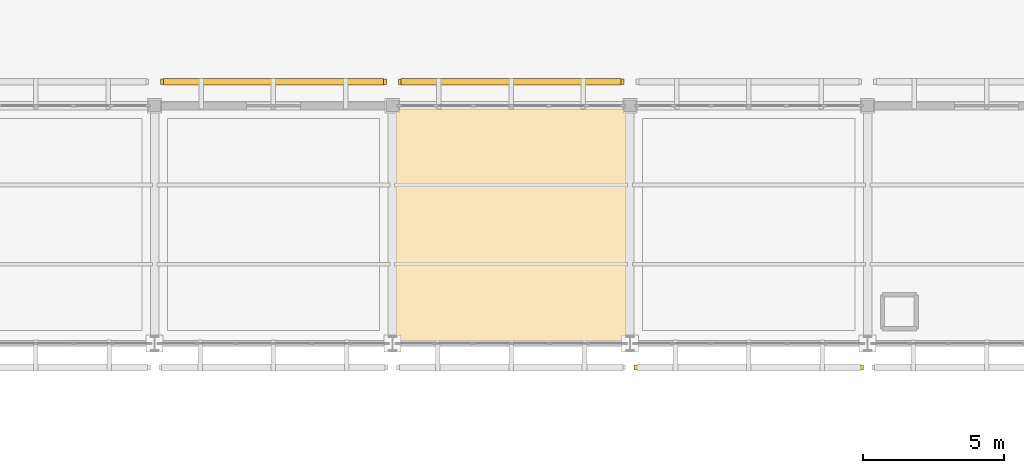
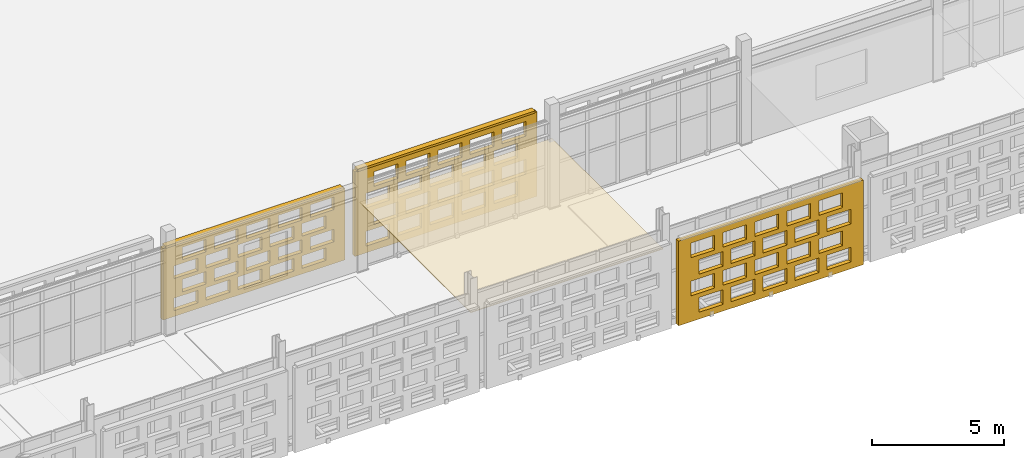
# One storey, part 171 of 203: 4 coverings, 2 shading devices, 60 openings.
"""IFC4 building model written with IfcOpenShell, lengths in metres."""

from ifc_helpers import new_model, si_unit, direction, frame, frame_2d, origin, origin_2d, place, context, subcontext, project, spatial, rectangle, extrude, material, layer, layer_set, type_object, element, save


model = new_model("IFC4")

# Units and contexts
model_context = context("Model", 3, precision=1e-05, world=origin(), true_north=direction((0.0, 1.0)))
body_context = subcontext(model_context, "Body", "Model", "MODEL_VIEW")
ifc_project = project(units=[si_unit("LENGTHUNIT", "METRE"), si_unit("AREAUNIT", "SQUARE_METRE"), si_unit("VOLUMEUNIT", "CUBIC_METRE"), si_unit("PLANEANGLEUNIT", "RADIAN"), si_unit("MASSUNIT", "GRAM", prefix="KILO")], contexts=[model_context])

# Site, building, storey
site_placement = place(None, origin())
site = spatial("IfcSite", under=ifc_project, at=site_placement, CompositionType="ELEMENT")
building_placement = place(site_placement, origin())
building = spatial("IfcBuilding", under=site, at=building_placement, Name="Varnapada Polytechnic", CompositionType="ELEMENT")
storey_placement = place(building_placement, frame((0.0, 0.0, 4.800048828125)))
storey = spatial("IfcBuildingStorey", under=building, at=storey_placement, Name="L01", CompositionType="ELEMENT", Elevation=4.800048828125)

# Covering
ifc_material_1 = material(Name="Mineral Fibre Acoustic Ceiling Tile")
ifc_layer_1 = layer(ifc_material_1, 0.0400390625)
ifc_layer_set_1 = layer_set([ifc_layer_1], Name="Mineral Fibre Acoustic Ceiling Tile")
covering_type_1 = type_object("IfcCoveringType", Name="Suspended Ceiling CLG-01", PredefinedType="CEILING", material=ifc_layer_set_1)
covering_1_placement = place(storey_placement, frame((88.199951171875, 88.199951171875, 3.030029296875), z_axis=(0.0, 0.0, 1.0), x_axis=(1.0, 0.0, 0.0)))
element("IfcCovering", 1, at=covering_1_placement, inside=storey, type_object=covering_type_1, Name="L01 suspended acoustic ceiling (11,11)", PredefinedType="CEILING", context=body_context, shape_type="SweptSolid", body=[
    extrude(rectangle(XDim=8.419921875, YDim=8.419921875, at=origin_2d()), origin(), (0.0, 0.0, 1.0), 0.0400390625),
])

# Covering, openings
ifc_material_2 = material(Name="Earth-toned architectural terracotta screen block", Category="masonry")
ifc_layer_2 = layer(ifc_material_2, 0.1201171875)
ifc_layer_set_2 = layer_set([ifc_layer_2], Name="Earth-toned architectural terracotta screen block")
covering_type_2 = type_object("IfcCoveringType", Name="Terracotta Screen Cladding CLD-01", PredefinedType="CLADDING", material=ifc_layer_set_2)
covering_2_placement = place(storey_placement, frame((75.81005859375, 93.25, 0.0), z_axis=(0.0, 0.0, 1.0), x_axis=(1.0, 0.0, 0.0)))
covering_2 = element("IfcCovering", 2, at=covering_2_placement, inside=storey, type_object=covering_type_2, Name="L01 perforated terracotta block screen (69)", PredefinedType="CLADDING", context=body_context, shape_type="SweptSolid", body=[
    extrude(rectangle(XDim=7.97998046875, YDim=0.179931640625, at=frame_2d((3.989990234375, 0.0))), origin(), (0.0, 0.0, 1.0), 3.31005859375),
])
opening_1_placement = place(covering_2_placement, frame((0.489990234375, 0.0, 0.264892578125)))
element("IfcOpeningElement", 3, at=opening_1_placement, cuts=covering_2, Name="Screen perforation TBS-L01-068.1", PredefinedType="OPENING", context=body_context, shape_type="SweptSolid", body=[
    extrude(rectangle(XDim=1.0400390625, YDim=0.5791015625, at=frame_2d((0.52001953125, 0.28955078125))), frame((0.0, 0.099853515625, 0.0), z_axis=(0.0, -1.0, 0.0), x_axis=(1.0, 0.0, 0.0)), (0.0, 0.0, 1.0), 0.199951171875),
])
opening_2_placement = place(covering_2_placement, frame((1.889892578125, 0.0, 0.264892578125)))
element("IfcOpeningElement", 4, at=opening_2_placement, cuts=covering_2, Name="Screen perforation TBS-L01-068.2", PredefinedType="OPENING", context=body_context, shape_type="SweptSolid", body=[
    extrude(rectangle(XDim=1.0400390625, YDim=0.5791015625, at=frame_2d((0.52001953125, 0.28955078125))), frame((0.0, 0.099853515625, 0.0), z_axis=(0.0, -1.0, 0.0), x_axis=(1.0, 0.0, 0.0)), (0.0, 0.0, 1.0), 0.199951171875),
])
opening_3_placement = place(covering_2_placement, frame((3.2900390625, 0.0, 0.264892578125)))
element("IfcOpeningElement", 5, at=opening_3_placement, cuts=covering_2, Name="Screen perforation TBS-L01-068.3", PredefinedType="OPENING", context=body_context, shape_type="SweptSolid", body=[
    extrude(rectangle(XDim=1.0400390625, YDim=0.5791015625, at=frame_2d((0.52001953125, 0.28955078125))), frame((0.0, 0.099853515625, 0.0), z_axis=(0.0, -1.0, 0.0), x_axis=(1.0, 0.0, 0.0)), (0.0, 0.0, 1.0), 0.199951171875),
])
opening_4_placement = place(covering_2_placement, frame((4.68994140625, 0.0, 0.264892578125)))
element("IfcOpeningElement", 6, at=opening_4_placement, cuts=covering_2, Name="Screen perforation TBS-L01-068.4", PredefinedType="OPENING", context=body_context, shape_type="SweptSolid", body=[
    extrude(rectangle(XDim=1.0400390625, YDim=0.5791015625, at=frame_2d((0.52001953125, 0.28955078125))), frame((0.0, 0.099853515625, 0.0), z_axis=(0.0, -1.0, 0.0), x_axis=(1.0, 0.0, 0.0)), (0.0, 0.0, 1.0), 0.199951171875),
])
opening_5_placement = place(covering_2_placement, frame((6.090087890625, 0.0, 0.264892578125)))
element("IfcOpeningElement", 7, at=opening_5_placement, cuts=covering_2, Name="Screen perforation TBS-L01-068.5", PredefinedType="OPENING", context=body_context, shape_type="SweptSolid", body=[
    extrude(rectangle(XDim=1.0400390625, YDim=0.5791015625, at=frame_2d((0.52001953125, 0.28955078125))), frame((0.0, 0.099853515625, 0.0), z_axis=(0.0, -1.0, 0.0), x_axis=(1.0, 0.0, 0.0)), (0.0, 0.0, 1.0), 0.199951171875),
])
opening_6_placement = place(covering_2_placement, frame((0.85009765625, 0.0, 1.009521484375)))
element("IfcOpeningElement", 8, at=opening_6_placement, cuts=covering_2, Name="Screen perforation TBS-L01-068.6", PredefinedType="OPENING", context=body_context, shape_type="SweptSolid", body=[
    extrude(rectangle(XDim=1.0400390625, YDim=0.5791015625, at=frame_2d((0.52001953125, 0.28955078125))), frame((0.0, 0.099853515625, 0.0), z_axis=(0.0, -1.0, 0.0), x_axis=(1.0, 0.0, 0.0)), (0.0, 0.0, 1.0), 0.199951171875),
])
opening_7_placement = place(covering_2_placement, frame((2.25, 0.0, 1.009521484375)))
element("IfcOpeningElement", 9, at=opening_7_placement, cuts=covering_2, Name="Screen perforation TBS-L01-068.7", PredefinedType="OPENING", context=body_context, shape_type="SweptSolid", body=[
    extrude(rectangle(XDim=1.0400390625, YDim=0.5791015625, at=frame_2d((0.52001953125, 0.28955078125))), frame((0.0, 0.099853515625, 0.0), z_axis=(0.0, -1.0, 0.0), x_axis=(1.0, 0.0, 0.0)), (0.0, 0.0, 1.0), 0.199951171875),
])
opening_8_placement = place(covering_2_placement, frame((3.64990234375, 0.0, 1.009521484375)))
element("IfcOpeningElement", 10, at=opening_8_placement, cuts=covering_2, Name="Screen perforation TBS-L01-068.8", PredefinedType="OPENING", context=body_context, shape_type="SweptSolid", body=[
    extrude(rectangle(XDim=1.0400390625, YDim=0.5791015625, at=frame_2d((0.52001953125, 0.28955078125))), frame((0.0, 0.099853515625, 0.0), z_axis=(0.0, -1.0, 0.0), x_axis=(1.0, 0.0, 0.0)), (0.0, 0.0, 1.0), 0.199951171875),
])
opening_9_placement = place(covering_2_placement, frame((5.050048828125, 0.0, 1.009521484375)))
element("IfcOpeningElement", 11, at=opening_9_placement, cuts=covering_2, Name="Screen perforation TBS-L01-068.9", PredefinedType="OPENING", context=body_context, shape_type="SweptSolid", body=[
    extrude(rectangle(XDim=1.0400390625, YDim=0.5791015625, at=frame_2d((0.52001953125, 0.28955078125))), frame((0.0, 0.099853515625, 0.0), z_axis=(0.0, -1.0, 0.0), x_axis=(1.0, 0.0, 0.0)), (0.0, 0.0, 1.0), 0.199951171875),
])
opening_10_placement = place(covering_2_placement, frame((6.449951171875, 0.0, 1.009521484375)))
element("IfcOpeningElement", 12, at=opening_10_placement, cuts=covering_2, Name="Screen perforation TBS-L01-068.10", PredefinedType="OPENING", context=body_context, shape_type="SweptSolid", body=[
    extrude(rectangle(XDim=1.0400390625, YDim=0.5791015625, at=frame_2d((0.52001953125, 0.28955078125))), frame((0.0, 0.099853515625, 0.0), z_axis=(0.0, -1.0, 0.0), x_axis=(1.0, 0.0, 0.0)), (0.0, 0.0, 1.0), 0.199951171875),
])
opening_11_placement = place(covering_2_placement, frame((0.489990234375, 0.0, 1.75439453125)))
element("IfcOpeningElement", 13, at=opening_11_placement, cuts=covering_2, Name="Screen perforation TBS-L01-068.11", PredefinedType="OPENING", context=body_context, shape_type="SweptSolid", body=[
    extrude(rectangle(XDim=1.0400390625, YDim=0.5791015625, at=frame_2d((0.52001953125, 0.28955078125))), frame((0.0, 0.099853515625, 0.0), z_axis=(0.0, -1.0, 0.0), x_axis=(1.0, 0.0, 0.0)), (0.0, 0.0, 1.0), 0.199951171875),
])
opening_12_placement = place(covering_2_placement, frame((1.889892578125, 0.0, 1.75439453125)))
element("IfcOpeningElement", 14, at=opening_12_placement, cuts=covering_2, Name="Screen perforation TBS-L01-068.12", PredefinedType="OPENING", context=body_context, shape_type="SweptSolid", body=[
    extrude(rectangle(XDim=1.0400390625, YDim=0.5791015625, at=frame_2d((0.52001953125, 0.28955078125))), frame((0.0, 0.099853515625, 0.0), z_axis=(0.0, -1.0, 0.0), x_axis=(1.0, 0.0, 0.0)), (0.0, 0.0, 1.0), 0.199951171875),
])
opening_13_placement = place(covering_2_placement, frame((3.2900390625, 0.0, 1.75439453125)))
element("IfcOpeningElement", 15, at=opening_13_placement, cuts=covering_2, Name="Screen perforation TBS-L01-068.13", PredefinedType="OPENING", context=body_context, shape_type="SweptSolid", body=[
    extrude(rectangle(XDim=1.0400390625, YDim=0.5791015625, at=frame_2d((0.52001953125, 0.28955078125))), frame((0.0, 0.099853515625, 0.0), z_axis=(0.0, -1.0, 0.0), x_axis=(1.0, 0.0, 0.0)), (0.0, 0.0, 1.0), 0.199951171875),
])
opening_14_placement = place(covering_2_placement, frame((4.68994140625, 0.0, 1.75439453125)))
element("IfcOpeningElement", 16, at=opening_14_placement, cuts=covering_2, Name="Screen perforation TBS-L01-068.14", PredefinedType="OPENING", context=body_context, shape_type="SweptSolid", body=[
    extrude(rectangle(XDim=1.0400390625, YDim=0.5791015625, at=frame_2d((0.52001953125, 0.28955078125))), frame((0.0, 0.099853515625, 0.0), z_axis=(0.0, -1.0, 0.0), x_axis=(1.0, 0.0, 0.0)), (0.0, 0.0, 1.0), 0.199951171875),
])
opening_15_placement = place(covering_2_placement, frame((6.090087890625, 0.0, 1.75439453125)))
element("IfcOpeningElement", 17, at=opening_15_placement, cuts=covering_2, Name="Screen perforation TBS-L01-068.15", PredefinedType="OPENING", context=body_context, shape_type="SweptSolid", body=[
    extrude(rectangle(XDim=1.0400390625, YDim=0.5791015625, at=frame_2d((0.52001953125, 0.28955078125))), frame((0.0, 0.099853515625, 0.0), z_axis=(0.0, -1.0, 0.0), x_axis=(1.0, 0.0, 0.0)), (0.0, 0.0, 1.0), 0.199951171875),
])
opening_16_placement = place(covering_2_placement, frame((0.85009765625, 0.0, 2.4990234375)))
element("IfcOpeningElement", 18, at=opening_16_placement, cuts=covering_2, Name="Screen perforation TBS-L01-068.16", PredefinedType="OPENING", context=body_context, shape_type="SweptSolid", body=[
    extrude(rectangle(XDim=1.0400390625, YDim=0.5791015625, at=frame_2d((0.52001953125, 0.28955078125))), frame((0.0, 0.099853515625, 0.0), z_axis=(0.0, -1.0, 0.0), x_axis=(1.0, 0.0, 0.0)), (0.0, 0.0, 1.0), 0.199951171875),
])
opening_17_placement = place(covering_2_placement, frame((2.25, 0.0, 2.4990234375)))
element("IfcOpeningElement", 19, at=opening_17_placement, cuts=covering_2, Name="Screen perforation TBS-L01-068.17", PredefinedType="OPENING", context=body_context, shape_type="SweptSolid", body=[
    extrude(rectangle(XDim=1.0400390625, YDim=0.5791015625, at=frame_2d((0.52001953125, 0.28955078125))), frame((0.0, 0.099853515625, 0.0), z_axis=(0.0, -1.0, 0.0), x_axis=(1.0, 0.0, 0.0)), (0.0, 0.0, 1.0), 0.199951171875),
])
opening_18_placement = place(covering_2_placement, frame((3.64990234375, 0.0, 2.4990234375)))
element("IfcOpeningElement", 20, at=opening_18_placement, cuts=covering_2, Name="Screen perforation TBS-L01-068.18", PredefinedType="OPENING", context=body_context, shape_type="SweptSolid", body=[
    extrude(rectangle(XDim=1.0400390625, YDim=0.5791015625, at=frame_2d((0.52001953125, 0.28955078125))), frame((0.0, 0.099853515625, 0.0), z_axis=(0.0, -1.0, 0.0), x_axis=(1.0, 0.0, 0.0)), (0.0, 0.0, 1.0), 0.199951171875),
])
opening_19_placement = place(covering_2_placement, frame((5.050048828125, 0.0, 2.4990234375)))
element("IfcOpeningElement", 21, at=opening_19_placement, cuts=covering_2, Name="Screen perforation TBS-L01-068.19", PredefinedType="OPENING", context=body_context, shape_type="SweptSolid", body=[
    extrude(rectangle(XDim=1.0400390625, YDim=0.5791015625, at=frame_2d((0.52001953125, 0.28955078125))), frame((0.0, 0.099853515625, 0.0), z_axis=(0.0, -1.0, 0.0), x_axis=(1.0, 0.0, 0.0)), (0.0, 0.0, 1.0), 0.199951171875),
])
opening_20_placement = place(covering_2_placement, frame((6.449951171875, 0.0, 2.4990234375)))
element("IfcOpeningElement", 22, at=opening_20_placement, cuts=covering_2, Name="Screen perforation TBS-L01-068.20", PredefinedType="OPENING", context=body_context, shape_type="SweptSolid", body=[
    extrude(rectangle(XDim=1.0400390625, YDim=0.5791015625, at=frame_2d((0.52001953125, 0.28955078125))), frame((0.0, 0.099853515625, 0.0), z_axis=(0.0, -1.0, 0.0), x_axis=(1.0, 0.0, 0.0)), (0.0, 0.0, 1.0), 0.199951171875),
])

covering_3_placement = place(storey_placement, frame((84.2099609375, 93.25, 0.0), z_axis=(0.0, 0.0, 1.0), x_axis=(1.0, 0.0, 0.0)))
covering_3 = element("IfcCovering", 23, at=covering_3_placement, inside=storey, type_object=covering_type_2, Name="L01 perforated terracotta block screen (75)", PredefinedType="CLADDING", context=body_context, shape_type="SweptSolid", body=[
    extrude(rectangle(XDim=7.97998046875, YDim=0.179931640625, at=frame_2d((3.989990234375, 0.0))), origin(), (0.0, 0.0, 1.0), 3.919921875),
])
opening_21_placement = place(covering_3_placement, frame((0.489990234375, 0.0, 0.313720703125)))
element("IfcOpeningElement", 24, at=opening_21_placement, cuts=covering_3, Name="Screen perforation TBS-L01-074.1", PredefinedType="OPENING", context=body_context, shape_type="SweptSolid", body=[
    extrude(rectangle(XDim=1.0400390625, YDim=0.679931640625, at=frame_2d((0.52001953125, 0.33984375))), frame((0.0, 0.099853515625, 0.0), z_axis=(0.0, -1.0, 0.0), x_axis=(1.0, 0.0, 0.0)), (0.0, 0.0, 1.0), 0.199951171875),
])
opening_22_placement = place(covering_3_placement, frame((1.889892578125, 0.0, 0.313720703125)))
element("IfcOpeningElement", 25, at=opening_22_placement, cuts=covering_3, Name="Screen perforation TBS-L01-074.2", PredefinedType="OPENING", context=body_context, shape_type="SweptSolid", body=[
    extrude(rectangle(XDim=1.0400390625, YDim=0.679931640625, at=frame_2d((0.52001953125, 0.33984375))), frame((0.0, 0.099853515625, 0.0), z_axis=(0.0, -1.0, 0.0), x_axis=(1.0, 0.0, 0.0)), (0.0, 0.0, 1.0), 0.199951171875),
])
opening_23_placement = place(covering_3_placement, frame((3.2900390625, 0.0, 0.313720703125)))
element("IfcOpeningElement", 26, at=opening_23_placement, cuts=covering_3, Name="Screen perforation TBS-L01-074.3", PredefinedType="OPENING", context=body_context, shape_type="SweptSolid", body=[
    extrude(rectangle(XDim=1.0400390625, YDim=0.679931640625, at=frame_2d((0.52001953125, 0.33984375))), frame((0.0, 0.099853515625, 0.0), z_axis=(0.0, -1.0, 0.0), x_axis=(1.0, 0.0, 0.0)), (0.0, 0.0, 1.0), 0.199951171875),
])
opening_24_placement = place(covering_3_placement, frame((4.68994140625, 0.0, 0.313720703125)))
element("IfcOpeningElement", 27, at=opening_24_placement, cuts=covering_3, Name="Screen perforation TBS-L01-074.4", PredefinedType="OPENING", context=body_context, shape_type="SweptSolid", body=[
    extrude(rectangle(XDim=1.0400390625, YDim=0.679931640625, at=frame_2d((0.52001953125, 0.33984375))), frame((0.0, 0.099853515625, 0.0), z_axis=(0.0, -1.0, 0.0), x_axis=(1.0, 0.0, 0.0)), (0.0, 0.0, 1.0), 0.199951171875),
])
opening_25_placement = place(covering_3_placement, frame((6.090087890625, 0.0, 0.313720703125)))
element("IfcOpeningElement", 28, at=opening_25_placement, cuts=covering_3, Name="Screen perforation TBS-L01-074.5", PredefinedType="OPENING", context=body_context, shape_type="SweptSolid", body=[
    extrude(rectangle(XDim=1.0400390625, YDim=0.679931640625, at=frame_2d((0.52001953125, 0.33984375))), frame((0.0, 0.099853515625, 0.0), z_axis=(0.0, -1.0, 0.0), x_axis=(1.0, 0.0, 0.0)), (0.0, 0.0, 1.0), 0.199951171875),
])
opening_26_placement = place(covering_3_placement, frame((0.85009765625, 0.0, 1.195556640625)))
element("IfcOpeningElement", 29, at=opening_26_placement, cuts=covering_3, Name="Screen perforation TBS-L01-074.6", PredefinedType="OPENING", context=body_context, shape_type="SweptSolid", body=[
    extrude(rectangle(XDim=1.0400390625, YDim=0.679931640625, at=frame_2d((0.52001953125, 0.33984375))), frame((0.0, 0.099853515625, 0.0), z_axis=(0.0, -1.0, 0.0), x_axis=(1.0, 0.0, 0.0)), (0.0, 0.0, 1.0), 0.199951171875),
])
opening_27_placement = place(covering_3_placement, frame((2.25, 0.0, 1.195556640625)))
element("IfcOpeningElement", 30, at=opening_27_placement, cuts=covering_3, Name="Screen perforation TBS-L01-074.7", PredefinedType="OPENING", context=body_context, shape_type="SweptSolid", body=[
    extrude(rectangle(XDim=1.0400390625, YDim=0.679931640625, at=frame_2d((0.52001953125, 0.33984375))), frame((0.0, 0.099853515625, 0.0), z_axis=(0.0, -1.0, 0.0), x_axis=(1.0, 0.0, 0.0)), (0.0, 0.0, 1.0), 0.199951171875),
])
opening_28_placement = place(covering_3_placement, frame((3.64990234375, 0.0, 1.195556640625)))
element("IfcOpeningElement", 31, at=opening_28_placement, cuts=covering_3, Name="Screen perforation TBS-L01-074.8", PredefinedType="OPENING", context=body_context, shape_type="SweptSolid", body=[
    extrude(rectangle(XDim=1.0400390625, YDim=0.679931640625, at=frame_2d((0.52001953125, 0.33984375))), frame((0.0, 0.099853515625, 0.0), z_axis=(0.0, -1.0, 0.0), x_axis=(1.0, 0.0, 0.0)), (0.0, 0.0, 1.0), 0.199951171875),
])
opening_29_placement = place(covering_3_placement, frame((5.050048828125, 0.0, 1.195556640625)))
element("IfcOpeningElement", 32, at=opening_29_placement, cuts=covering_3, Name="Screen perforation TBS-L01-074.9", PredefinedType="OPENING", context=body_context, shape_type="SweptSolid", body=[
    extrude(rectangle(XDim=1.0400390625, YDim=0.679931640625, at=frame_2d((0.52001953125, 0.33984375))), frame((0.0, 0.099853515625, 0.0), z_axis=(0.0, -1.0, 0.0), x_axis=(1.0, 0.0, 0.0)), (0.0, 0.0, 1.0), 0.199951171875),
])
opening_30_placement = place(covering_3_placement, frame((6.449951171875, 0.0, 1.195556640625)))
element("IfcOpeningElement", 33, at=opening_30_placement, cuts=covering_3, Name="Screen perforation TBS-L01-074.10", PredefinedType="OPENING", context=body_context, shape_type="SweptSolid", body=[
    extrude(rectangle(XDim=1.0400390625, YDim=0.679931640625, at=frame_2d((0.52001953125, 0.33984375))), frame((0.0, 0.099853515625, 0.0), z_axis=(0.0, -1.0, 0.0), x_axis=(1.0, 0.0, 0.0)), (0.0, 0.0, 1.0), 0.199951171875),
])
opening_31_placement = place(covering_3_placement, frame((0.489990234375, 0.0, 2.07763671875)))
element("IfcOpeningElement", 34, at=opening_31_placement, cuts=covering_3, Name="Screen perforation TBS-L01-074.11", PredefinedType="OPENING", context=body_context, shape_type="SweptSolid", body=[
    extrude(rectangle(XDim=1.0400390625, YDim=0.679931640625, at=frame_2d((0.52001953125, 0.33984375))), frame((0.0, 0.099853515625, 0.0), z_axis=(0.0, -1.0, 0.0), x_axis=(1.0, 0.0, 0.0)), (0.0, 0.0, 1.0), 0.199951171875),
])
opening_32_placement = place(covering_3_placement, frame((1.889892578125, 0.0, 2.07763671875)))
element("IfcOpeningElement", 35, at=opening_32_placement, cuts=covering_3, Name="Screen perforation TBS-L01-074.12", PredefinedType="OPENING", context=body_context, shape_type="SweptSolid", body=[
    extrude(rectangle(XDim=1.0400390625, YDim=0.679931640625, at=frame_2d((0.52001953125, 0.33984375))), frame((0.0, 0.099853515625, 0.0), z_axis=(0.0, -1.0, 0.0), x_axis=(1.0, 0.0, 0.0)), (0.0, 0.0, 1.0), 0.199951171875),
])
opening_33_placement = place(covering_3_placement, frame((3.2900390625, 0.0, 2.07763671875)))
element("IfcOpeningElement", 36, at=opening_33_placement, cuts=covering_3, Name="Screen perforation TBS-L01-074.13", PredefinedType="OPENING", context=body_context, shape_type="SweptSolid", body=[
    extrude(rectangle(XDim=1.0400390625, YDim=0.679931640625, at=frame_2d((0.52001953125, 0.33984375))), frame((0.0, 0.099853515625, 0.0), z_axis=(0.0, -1.0, 0.0), x_axis=(1.0, 0.0, 0.0)), (0.0, 0.0, 1.0), 0.199951171875),
])
opening_34_placement = place(covering_3_placement, frame((4.68994140625, 0.0, 2.07763671875)))
element("IfcOpeningElement", 37, at=opening_34_placement, cuts=covering_3, Name="Screen perforation TBS-L01-074.14", PredefinedType="OPENING", context=body_context, shape_type="SweptSolid", body=[
    extrude(rectangle(XDim=1.0400390625, YDim=0.679931640625, at=frame_2d((0.52001953125, 0.33984375))), frame((0.0, 0.099853515625, 0.0), z_axis=(0.0, -1.0, 0.0), x_axis=(1.0, 0.0, 0.0)), (0.0, 0.0, 1.0), 0.199951171875),
])
opening_35_placement = place(covering_3_placement, frame((6.090087890625, 0.0, 2.07763671875)))
element("IfcOpeningElement", 38, at=opening_35_placement, cuts=covering_3, Name="Screen perforation TBS-L01-074.15", PredefinedType="OPENING", context=body_context, shape_type="SweptSolid", body=[
    extrude(rectangle(XDim=1.0400390625, YDim=0.679931640625, at=frame_2d((0.52001953125, 0.33984375))), frame((0.0, 0.099853515625, 0.0), z_axis=(0.0, -1.0, 0.0), x_axis=(1.0, 0.0, 0.0)), (0.0, 0.0, 1.0), 0.199951171875),
])
opening_36_placement = place(covering_3_placement, frame((0.85009765625, 0.0, 2.959716796875)))
element("IfcOpeningElement", 39, at=opening_36_placement, cuts=covering_3, Name="Screen perforation TBS-L01-074.16", PredefinedType="OPENING", context=body_context, shape_type="SweptSolid", body=[
    extrude(rectangle(XDim=1.0400390625, YDim=0.679931640625, at=frame_2d((0.52001953125, 0.33984375))), frame((0.0, 0.099853515625, 0.0), z_axis=(0.0, -1.0, 0.0), x_axis=(1.0, 0.0, 0.0)), (0.0, 0.0, 1.0), 0.199951171875),
])
opening_37_placement = place(covering_3_placement, frame((2.25, 0.0, 2.959716796875)))
element("IfcOpeningElement", 40, at=opening_37_placement, cuts=covering_3, Name="Screen perforation TBS-L01-074.17", PredefinedType="OPENING", context=body_context, shape_type="SweptSolid", body=[
    extrude(rectangle(XDim=1.0400390625, YDim=0.679931640625, at=frame_2d((0.52001953125, 0.33984375))), frame((0.0, 0.099853515625, 0.0), z_axis=(0.0, -1.0, 0.0), x_axis=(1.0, 0.0, 0.0)), (0.0, 0.0, 1.0), 0.199951171875),
])
opening_38_placement = place(covering_3_placement, frame((3.64990234375, 0.0, 2.959716796875)))
element("IfcOpeningElement", 41, at=opening_38_placement, cuts=covering_3, Name="Screen perforation TBS-L01-074.18", PredefinedType="OPENING", context=body_context, shape_type="SweptSolid", body=[
    extrude(rectangle(XDim=1.0400390625, YDim=0.679931640625, at=frame_2d((0.52001953125, 0.33984375))), frame((0.0, 0.099853515625, 0.0), z_axis=(0.0, -1.0, 0.0), x_axis=(1.0, 0.0, 0.0)), (0.0, 0.0, 1.0), 0.199951171875),
])
opening_39_placement = place(covering_3_placement, frame((5.050048828125, 0.0, 2.959716796875)))
element("IfcOpeningElement", 42, at=opening_39_placement, cuts=covering_3, Name="Screen perforation TBS-L01-074.19", PredefinedType="OPENING", context=body_context, shape_type="SweptSolid", body=[
    extrude(rectangle(XDim=1.0400390625, YDim=0.679931640625, at=frame_2d((0.52001953125, 0.33984375))), frame((0.0, 0.099853515625, 0.0), z_axis=(0.0, -1.0, 0.0), x_axis=(1.0, 0.0, 0.0)), (0.0, 0.0, 1.0), 0.199951171875),
])
opening_40_placement = place(covering_3_placement, frame((6.449951171875, 0.0, 2.959716796875)))
element("IfcOpeningElement", 43, at=opening_40_placement, cuts=covering_3, Name="Screen perforation TBS-L01-074.20", PredefinedType="OPENING", context=body_context, shape_type="SweptSolid", body=[
    extrude(rectangle(XDim=1.0400390625, YDim=0.679931640625, at=frame_2d((0.52001953125, 0.33984375))), frame((0.0, 0.099853515625, 0.0), z_axis=(0.0, -1.0, 0.0), x_axis=(1.0, 0.0, 0.0)), (0.0, 0.0, 1.0), 0.199951171875),
])

covering_4_placement = place(storey_placement, frame((100.64990234375, 83.14990234375, 0.0), z_axis=(0.0, 0.0, 1.0), x_axis=(-1.0, 0.0, 0.0)))
covering_4 = element("IfcCovering", 44, at=covering_4_placement, inside=storey, type_object=covering_type_2, Name="L01 perforated terracotta block screen (80)", PredefinedType="CLADDING", context=body_context, shape_type="SweptSolid", body=[
    extrude(rectangle(XDim=8.099853515625, YDim=0.179931640625, at=frame_2d((4.0498046875, 0.0))), origin(), (0.0, 0.0, 1.0), 3.919921875),
])
opening_41_placement = place(covering_4_placement, frame((0.550048828125, 0.0, 0.313720703125)))
element("IfcOpeningElement", 45, at=opening_41_placement, cuts=covering_4, Name="Screen perforation TBS-L01-079.1", PredefinedType="OPENING", context=body_context, shape_type="SweptSolid", body=[
    extrude(rectangle(XDim=1.0400390625, YDim=0.679931640625, at=frame_2d((0.52001953125, 0.33984375))), frame((0.0, 0.099853515625, 0.0), z_axis=(0.0, -1.0, 0.0), x_axis=(1.0, 0.0, 0.0)), (0.0, 0.0, 1.0), 0.199951171875),
])
opening_42_placement = place(covering_4_placement, frame((1.949951171875, 0.0, 0.313720703125)))
element("IfcOpeningElement", 46, at=opening_42_placement, cuts=covering_4, Name="Screen perforation TBS-L01-079.2", PredefinedType="OPENING", context=body_context, shape_type="SweptSolid", body=[
    extrude(rectangle(XDim=1.0400390625, YDim=0.679931640625, at=frame_2d((0.52001953125, 0.33984375))), frame((0.0, 0.099853515625, 0.0), z_axis=(0.0, -1.0, 0.0), x_axis=(1.0, 0.0, 0.0)), (0.0, 0.0, 1.0), 0.199951171875),
])
opening_43_placement = place(covering_4_placement, frame((3.35009765625, 0.0, 0.313720703125)))
element("IfcOpeningElement", 47, at=opening_43_placement, cuts=covering_4, Name="Screen perforation TBS-L01-079.3", PredefinedType="OPENING", context=body_context, shape_type="SweptSolid", body=[
    extrude(rectangle(XDim=1.0400390625, YDim=0.679931640625, at=frame_2d((0.52001953125, 0.33984375))), frame((0.0, 0.099853515625, 0.0), z_axis=(0.0, -1.0, 0.0), x_axis=(1.0, 0.0, 0.0)), (0.0, 0.0, 1.0), 0.199951171875),
])
opening_44_placement = place(covering_4_placement, frame((4.75, 0.0, 0.313720703125)))
element("IfcOpeningElement", 48, at=opening_44_placement, cuts=covering_4, Name="Screen perforation TBS-L01-079.4", PredefinedType="OPENING", context=body_context, shape_type="SweptSolid", body=[
    extrude(rectangle(XDim=1.0400390625, YDim=0.679931640625, at=frame_2d((0.52001953125, 0.33984375))), frame((0.0, 0.099853515625, 0.0), z_axis=(0.0, -1.0, 0.0), x_axis=(1.0, 0.0, 0.0)), (0.0, 0.0, 1.0), 0.199951171875),
])
opening_45_placement = place(covering_4_placement, frame((6.14990234375, 0.0, 0.313720703125)))
element("IfcOpeningElement", 49, at=opening_45_placement, cuts=covering_4, Name="Screen perforation TBS-L01-079.5", PredefinedType="OPENING", context=body_context, shape_type="SweptSolid", body=[
    extrude(rectangle(XDim=1.0400390625, YDim=0.679931640625, at=frame_2d((0.52001953125, 0.33984375))), frame((0.0, 0.099853515625, 0.0), z_axis=(0.0, -1.0, 0.0), x_axis=(1.0, 0.0, 0.0)), (0.0, 0.0, 1.0), 0.199951171875),
])
opening_46_placement = place(covering_4_placement, frame((0.909912109375, 0.0, 1.195556640625)))
element("IfcOpeningElement", 50, at=opening_46_placement, cuts=covering_4, Name="Screen perforation TBS-L01-079.6", PredefinedType="OPENING", context=body_context, shape_type="SweptSolid", body=[
    extrude(rectangle(XDim=1.0400390625, YDim=0.679931640625, at=frame_2d((0.52001953125, 0.33984375))), frame((0.0, 0.099853515625, 0.0), z_axis=(0.0, -1.0, 0.0), x_axis=(1.0, 0.0, 0.0)), (0.0, 0.0, 1.0), 0.199951171875),
])
opening_47_placement = place(covering_4_placement, frame((2.31005859375, 0.0, 1.195556640625)))
element("IfcOpeningElement", 51, at=opening_47_placement, cuts=covering_4, Name="Screen perforation TBS-L01-079.7", PredefinedType="OPENING", context=body_context, shape_type="SweptSolid", body=[
    extrude(rectangle(XDim=1.0400390625, YDim=0.679931640625, at=frame_2d((0.52001953125, 0.33984375))), frame((0.0, 0.099853515625, 0.0), z_axis=(0.0, -1.0, 0.0), x_axis=(1.0, 0.0, 0.0)), (0.0, 0.0, 1.0), 0.199951171875),
])
opening_48_placement = place(covering_4_placement, frame((3.7099609375, 0.0, 1.195556640625)))
element("IfcOpeningElement", 52, at=opening_48_placement, cuts=covering_4, Name="Screen perforation TBS-L01-079.8", PredefinedType="OPENING", context=body_context, shape_type="SweptSolid", body=[
    extrude(rectangle(XDim=1.0400390625, YDim=0.679931640625, at=frame_2d((0.52001953125, 0.33984375))), frame((0.0, 0.099853515625, 0.0), z_axis=(0.0, -1.0, 0.0), x_axis=(1.0, 0.0, 0.0)), (0.0, 0.0, 1.0), 0.199951171875),
])
opening_49_placement = place(covering_4_placement, frame((5.110107421875, 0.0, 1.195556640625)))
element("IfcOpeningElement", 53, at=opening_49_placement, cuts=covering_4, Name="Screen perforation TBS-L01-079.9", PredefinedType="OPENING", context=body_context, shape_type="SweptSolid", body=[
    extrude(rectangle(XDim=1.0400390625, YDim=0.679931640625, at=frame_2d((0.52001953125, 0.33984375))), frame((0.0, 0.099853515625, 0.0), z_axis=(0.0, -1.0, 0.0), x_axis=(1.0, 0.0, 0.0)), (0.0, 0.0, 1.0), 0.199951171875),
])
opening_50_placement = place(covering_4_placement, frame((6.510009765625, 0.0, 1.195556640625)))
element("IfcOpeningElement", 54, at=opening_50_placement, cuts=covering_4, Name="Screen perforation TBS-L01-079.10", PredefinedType="OPENING", context=body_context, shape_type="SweptSolid", body=[
    extrude(rectangle(XDim=1.0400390625, YDim=0.679931640625, at=frame_2d((0.52001953125, 0.33984375))), frame((0.0, 0.099853515625, 0.0), z_axis=(0.0, -1.0, 0.0), x_axis=(1.0, 0.0, 0.0)), (0.0, 0.0, 1.0), 0.199951171875),
])
opening_51_placement = place(covering_4_placement, frame((0.550048828125, 0.0, 2.07763671875)))
element("IfcOpeningElement", 55, at=opening_51_placement, cuts=covering_4, Name="Screen perforation TBS-L01-079.11", PredefinedType="OPENING", context=body_context, shape_type="SweptSolid", body=[
    extrude(rectangle(XDim=1.0400390625, YDim=0.679931640625, at=frame_2d((0.52001953125, 0.33984375))), frame((0.0, 0.099853515625, 0.0), z_axis=(0.0, -1.0, 0.0), x_axis=(1.0, 0.0, 0.0)), (0.0, 0.0, 1.0), 0.199951171875),
])
opening_52_placement = place(covering_4_placement, frame((1.949951171875, 0.0, 2.07763671875)))
element("IfcOpeningElement", 56, at=opening_52_placement, cuts=covering_4, Name="Screen perforation TBS-L01-079.12", PredefinedType="OPENING", context=body_context, shape_type="SweptSolid", body=[
    extrude(rectangle(XDim=1.0400390625, YDim=0.679931640625, at=frame_2d((0.52001953125, 0.33984375))), frame((0.0, 0.099853515625, 0.0), z_axis=(0.0, -1.0, 0.0), x_axis=(1.0, 0.0, 0.0)), (0.0, 0.0, 1.0), 0.199951171875),
])
opening_53_placement = place(covering_4_placement, frame((3.35009765625, 0.0, 2.07763671875)))
element("IfcOpeningElement", 57, at=opening_53_placement, cuts=covering_4, Name="Screen perforation TBS-L01-079.13", PredefinedType="OPENING", context=body_context, shape_type="SweptSolid", body=[
    extrude(rectangle(XDim=1.0400390625, YDim=0.679931640625, at=frame_2d((0.52001953125, 0.33984375))), frame((0.0, 0.099853515625, 0.0), z_axis=(0.0, -1.0, 0.0), x_axis=(1.0, 0.0, 0.0)), (0.0, 0.0, 1.0), 0.199951171875),
])
opening_54_placement = place(covering_4_placement, frame((4.75, 0.0, 2.07763671875)))
element("IfcOpeningElement", 58, at=opening_54_placement, cuts=covering_4, Name="Screen perforation TBS-L01-079.14", PredefinedType="OPENING", context=body_context, shape_type="SweptSolid", body=[
    extrude(rectangle(XDim=1.0400390625, YDim=0.679931640625, at=frame_2d((0.52001953125, 0.33984375))), frame((0.0, 0.099853515625, 0.0), z_axis=(0.0, -1.0, 0.0), x_axis=(1.0, 0.0, 0.0)), (0.0, 0.0, 1.0), 0.199951171875),
])
opening_55_placement = place(covering_4_placement, frame((6.14990234375, 0.0, 2.07763671875)))
element("IfcOpeningElement", 59, at=opening_55_placement, cuts=covering_4, Name="Screen perforation TBS-L01-079.15", PredefinedType="OPENING", context=body_context, shape_type="SweptSolid", body=[
    extrude(rectangle(XDim=1.0400390625, YDim=0.679931640625, at=frame_2d((0.52001953125, 0.33984375))), frame((0.0, 0.099853515625, 0.0), z_axis=(0.0, -1.0, 0.0), x_axis=(1.0, 0.0, 0.0)), (0.0, 0.0, 1.0), 0.199951171875),
])
opening_56_placement = place(covering_4_placement, frame((0.909912109375, 0.0, 2.959716796875)))
element("IfcOpeningElement", 60, at=opening_56_placement, cuts=covering_4, Name="Screen perforation TBS-L01-079.16", PredefinedType="OPENING", context=body_context, shape_type="SweptSolid", body=[
    extrude(rectangle(XDim=1.0400390625, YDim=0.679931640625, at=frame_2d((0.52001953125, 0.33984375))), frame((0.0, 0.099853515625, 0.0), z_axis=(0.0, -1.0, 0.0), x_axis=(1.0, 0.0, 0.0)), (0.0, 0.0, 1.0), 0.199951171875),
])
opening_57_placement = place(covering_4_placement, frame((2.31005859375, 0.0, 2.959716796875)))
element("IfcOpeningElement", 61, at=opening_57_placement, cuts=covering_4, Name="Screen perforation TBS-L01-079.17", PredefinedType="OPENING", context=body_context, shape_type="SweptSolid", body=[
    extrude(rectangle(XDim=1.0400390625, YDim=0.679931640625, at=frame_2d((0.52001953125, 0.33984375))), frame((0.0, 0.099853515625, 0.0), z_axis=(0.0, -1.0, 0.0), x_axis=(1.0, 0.0, 0.0)), (0.0, 0.0, 1.0), 0.199951171875),
])
opening_58_placement = place(covering_4_placement, frame((3.7099609375, 0.0, 2.959716796875)))
element("IfcOpeningElement", 62, at=opening_58_placement, cuts=covering_4, Name="Screen perforation TBS-L01-079.18", PredefinedType="OPENING", context=body_context, shape_type="SweptSolid", body=[
    extrude(rectangle(XDim=1.0400390625, YDim=0.679931640625, at=frame_2d((0.52001953125, 0.33984375))), frame((0.0, 0.099853515625, 0.0), z_axis=(0.0, -1.0, 0.0), x_axis=(1.0, 0.0, 0.0)), (0.0, 0.0, 1.0), 0.199951171875),
])
opening_59_placement = place(covering_4_placement, frame((5.110107421875, 0.0, 2.959716796875)))
element("IfcOpeningElement", 63, at=opening_59_placement, cuts=covering_4, Name="Screen perforation TBS-L01-079.19", PredefinedType="OPENING", context=body_context, shape_type="SweptSolid", body=[
    extrude(rectangle(XDim=1.0400390625, YDim=0.679931640625, at=frame_2d((0.52001953125, 0.33984375))), frame((0.0, 0.099853515625, 0.0), z_axis=(0.0, -1.0, 0.0), x_axis=(1.0, 0.0, 0.0)), (0.0, 0.0, 1.0), 0.199951171875),
])
opening_60_placement = place(covering_4_placement, frame((6.510009765625, 0.0, 2.959716796875)))
element("IfcOpeningElement", 64, at=opening_60_placement, cuts=covering_4, Name="Screen perforation TBS-L01-079.20", PredefinedType="OPENING", context=body_context, shape_type="SweptSolid", body=[
    extrude(rectangle(XDim=1.0400390625, YDim=0.679931640625, at=frame_2d((0.52001953125, 0.33984375))), frame((0.0, 0.099853515625, 0.0), z_axis=(0.0, -1.0, 0.0), x_axis=(1.0, 0.0, 0.0)), (0.0, 0.0, 1.0), 0.199951171875),
])

# Shading devices
ifc_layer_3 = layer(ifc_material_2, 0.179931640625)
ifc_layer_set_3 = layer_set([ifc_layer_3], Name="Earth-toned architectural terracotta screen block")
shading_device_type = type_object("IfcShadingDeviceType", Name="Terracotta Screen SCR-02", PredefinedType="USERDEFINED", material=ifc_layer_set_3)
for number, where, z_axis, x_axis, name in (
    (65, (79.800048828125, 93.25, 3.2998046875), (0.0, 0.0, 1.0), (1.0, 0.0, 0.0), "L01 perforated terracotta screen hood 148"),
    (66, (88.199951171875, 93.25, 3.909912109375), (0.0, 0.0, 1.0), (1.0, 0.0, 0.0), "L01 perforated terracotta screen hood 154"),
):
    element("IfcShadingDevice", number, at=place(storey_placement, frame(where, z_axis=z_axis, x_axis=x_axis)), inside=storey, type_object=shading_device_type, Name=name, ObjectType="SCREEN", PredefinedType="USERDEFINED", context=body_context, shape_type="SweptSolid", body=[
        extrude(rectangle(XDim=7.780029296875, YDim=0.239990234375, at=origin_2d()), origin(), (0.0, 0.0, 1.0), 0.10009765625),
    ])

save(model, "model.ifc")
